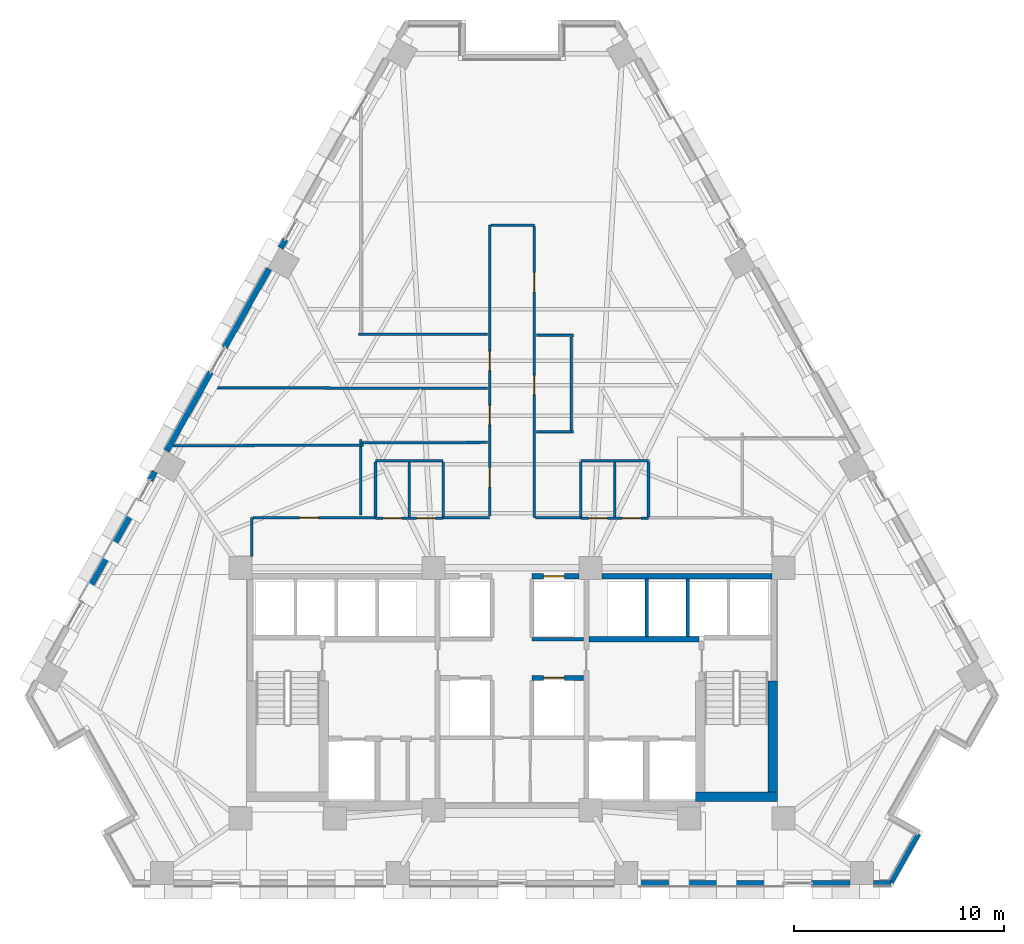
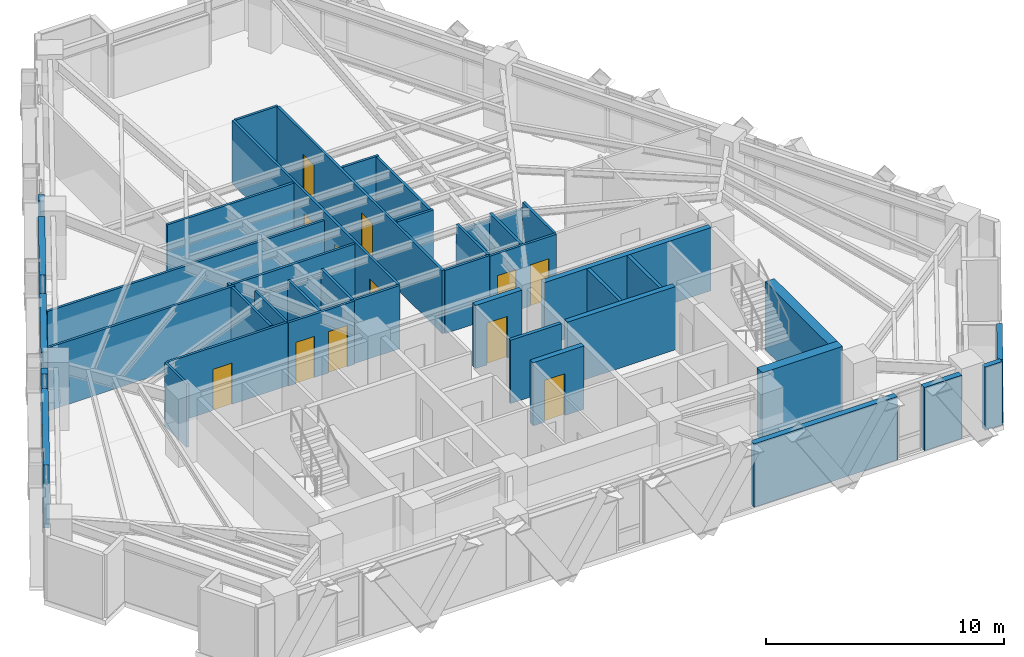
# One storey, part 8 of 13: 44 walls, 12 doors, 12 openings.
"""IFC4 building model written with IfcOpenShell, lengths in metres."""

from ifc_helpers import new_model, si_unit, direction, frame, frame_2d, origin, place, context, subcontext, project, spatial, rectangle, extrude, material, layer, layer_set, type_object, element, fill, save


model = new_model("IFC4")

# Units and contexts
model_context = context("Model", 3, precision=1e-05, world=origin(), true_north=direction((0.0, 1.0)))
body_context = subcontext(model_context, "Body", "Model", "MODEL_VIEW")
ifc_project = project(units=[si_unit("LENGTHUNIT", "METRE"), si_unit("AREAUNIT", "SQUARE_METRE"), si_unit("VOLUMEUNIT", "CUBIC_METRE"), si_unit("PLANEANGLEUNIT", "RADIAN"), si_unit("MASSUNIT", "GRAM", prefix="KILO")], contexts=[model_context])

# Site, building, storey
site_placement = place(None, origin())
site = spatial("IfcSite", under=ifc_project, at=site_placement, CompositionType="ELEMENT")
building_placement = place(site_placement, origin())
building = spatial("IfcBuilding", under=site, at=building_placement, Name="Quenlor Broadcast Tower", CompositionType="ELEMENT")
storey_placement = place(building_placement, frame((0.0, 0.0, 98.5)))
storey = spatial("IfcBuildingStorey", under=building, at=storey_placement, Name="L26", CompositionType="ELEMENT", Elevation=98.5)

# Walls
ifc_material_1 = material(Name="Concrete C50/60", Category="concrete")
ifc_layer_1 = layer(ifc_material_1, 0.449951171875)
ifc_layer_set_1 = layer_set([ifc_layer_1], Name="Core Concrete C50/60 Shear Wall 450")
wall_type_1 = type_object("IfcWallType", Name="Core Concrete C50/60 Shear Wall 450", PredefinedType="SHEAR", material=ifc_layer_set_1)
wall_1_placement = place(storey_placement, frame((8.75, -15.72509765625, 0.0), z_axis=(0.0, 0.0, 1.0), x_axis=(1.0, 0.0, 0.0)))
element("IfcWall", 1, at=wall_1_placement, inside=storey, type_object=wall_type_1, Name="L26 Core Shear Wall WS-E2", PredefinedType="SHEAR", context=body_context, shape_type="SweptSolid", body=[
    extrude(rectangle(XDim=3.89990234375, YDim=0.449951171875, at=frame_2d((1.949951171875, 0.0))), origin(), (0.0, 0.0, 1.0), 3.5),
])
wall_2_placement = place(storey_placement, frame((12.425048828125, -15.72509765625, 0.0), z_axis=(0.0, 0.0, 1.0), x_axis=(0.0, 1.0, 0.0)))
element("IfcWall", 2, at=wall_2_placement, inside=storey, type_object=wall_type_1, Name="L26 Core Shear Wall WF-E", PredefinedType="SHEAR", context=body_context, shape_type="SweptSolid", body=[
    extrude(rectangle(XDim=5.525146484375, YDim=0.449951171875, at=frame_2d((2.7626953125, 0.0))), origin(), (0.0, 0.0, 1.0), 3.5),
])
ifc_material_2 = material(Name="Concrete C40/50", Category="concrete")
ifc_layer_2 = layer(ifc_material_2, 0.25)
ifc_layer_set_2 = layer_set([ifc_layer_2], Name="Fire Rated Concrete C40/50 Core Wall 250")
wall_type_2 = type_object("IfcWallType", Name="Fire Rated Concrete C40/50 Core Wall 250", PredefinedType="PARTITIONING", material=ifc_layer_set_2)
wall_3_placement = place(storey_placement, frame((3.679931640625, -8.199951171875, 0.0), z_axis=(0.0, 0.0, 1.0), x_axis=(1.0, 0.0, 0.0)))
element("IfcWall", 3, at=wall_3_placement, inside=storey, type_object=wall_type_2, Name="L26 Interior Wall CW-FFE-N", PredefinedType="PARTITIONING", context=body_context, shape_type="SweptSolid", body=[
    extrude(rectangle(XDim=5.239990234375, YDim=0.25, at=frame_2d((2.6201171875, 0.0))), origin(), (0.0, 0.0, 1.0), 3.25),
])
wall_4_placement = place(storey_placement, frame((4.302001953125, -5.199951171875, 0.0), z_axis=(0.0, 0.0, 1.0), x_axis=(1.0, 0.0, 0.0)))
element("IfcWall", 4, at=wall_4_placement, inside=storey, type_object=wall_type_2, Name="L26 Interior Wall CW-N-E", PredefinedType="PARTITIONING", context=body_context, shape_type="SweptSolid", body=[
    extrude(rectangle(XDim=8.095947265625, YDim=0.25, at=frame_2d((4.0478515625, 0.0))), origin(), (0.0, 0.0, 1.0), 3.25),
])

# Wall, opening, door
wall_5_placement = place(storey_placement, frame((0.949951171875, -5.199951171875, 0.0), z_axis=(0.0, 0.0, 1.0), x_axis=(1.0, 0.0, 0.0)))
wall_5 = element("IfcWall", 5, at=wall_5_placement, inside=storey, type_object=wall_type_2, Name="L26 Interior Wall CW-N-M2", PredefinedType="PARTITIONING", context=body_context, shape_type="SweptSolid", body=[
    extrude(rectangle(XDim=2.248046875, YDim=0.25, at=frame_2d((1.1240234375, 0.0))), origin(), (0.0, 0.0, 1.0), 3.25),
])
opening_1_placement = place(wall_5_placement, frame((0.550048828125, 0.0, 0.0)))
opening_1 = element("IfcOpeningElement", 6, at=opening_1_placement, cuts=wall_5, Name="Opening LD-PL-M2", PredefinedType="OPENING", context=body_context, shape_type="SweptSolid", body=[
    extrude(rectangle(XDim=1.0, YDim=2.14990234375, at=frame_2d((0.5, 1.074951171875))), frame((0.0, 0.135009765625, 0.0), z_axis=(0.0, -1.0, 0.0), x_axis=(1.0, 0.0, 0.0)), (0.0, 0.0, 1.0), 0.27001953125),
])
ifc_material_3 = material(Name="Brushed Stainless Steel", Category="steel")
door_type_1 = type_object("IfcDoorType", Name="Passenger Lift Sliding Landing Door 1000x2150", OperationType="NOTDEFINED", PredefinedType="DOOR", material=ifc_material_3)
door_1_placement = place(opening_1_placement, origin())
door_1 = element("IfcDoor", 7, at=door_1_placement, inside=storey, type_object=door_type_1, Name="L26 Door LD-PL-M2", OperationType="SLIDING_TO_RIGHT", OverallHeight=2.14990234375, OverallWidth=1.0, PredefinedType="DOOR", context=body_context, shape_type="SweptSolid", body=[
    extrude(rectangle(XDim=1.0, YDim=2.14990234375, at=frame_2d((0.5, 1.074951171875))), frame((0.0, 0.02490234375, 0.0), z_axis=(0.0, -1.0, 0.0), x_axis=(1.0, 0.0, 0.0)), (0.0, 0.0, 1.0), 0.050048828125),
])
fill(opening_1, door_1)

wall_6_placement = place(storey_placement, frame((0.949951171875, -10.050048828125, 0.0), z_axis=(0.0, 0.0, 1.0), x_axis=(1.0, 0.0, 0.0)))
wall_6 = element("IfcWall", 8, at=wall_6_placement, inside=storey, type_object=wall_type_2, Name="L26 Interior Wall CW-MS-N2", PredefinedType="PARTITIONING", context=body_context, shape_type="SweptSolid", body=[
    extrude(rectangle(XDim=2.469970703125, YDim=0.25, at=frame_2d((1.23486328125, 0.0))), origin(), (0.0, 0.0, 1.0), 3.25),
])
opening_2_placement = place(wall_6_placement, frame((0.550048828125, 0.0, 0.0)))
opening_2 = element("IfcOpeningElement", 9, at=opening_2_placement, cuts=wall_6, Name="Opening LD-PL-M4", PredefinedType="OPENING", context=body_context, shape_type="SweptSolid", body=[
    extrude(rectangle(XDim=1.0, YDim=2.14990234375, at=frame_2d((0.5, 1.074951171875))), frame((0.0, 0.135009765625, 0.0), z_axis=(0.0, -1.0, 0.0), x_axis=(1.0, 0.0, 0.0)), (0.0, 0.0, 1.0), 0.27001953125),
])
door_2_placement = place(opening_2_placement, origin())
door_2 = element("IfcDoor", 10, at=door_2_placement, inside=storey, type_object=door_type_1, Name="L26 Door LD-PL-M4", OperationType="SLIDING_TO_RIGHT", OverallHeight=2.14990234375, OverallWidth=1.0, PredefinedType="DOOR", context=body_context, shape_type="SweptSolid", body=[
    extrude(rectangle(XDim=1.0, YDim=2.14990234375, at=frame_2d((0.5, 1.074951171875))), frame((0.0, 0.02490234375, 0.0), z_axis=(0.0, -1.0, 0.0), x_axis=(1.0, 0.0, 0.0)), (0.0, 0.0, 1.0), 0.050048828125),
])
fill(opening_2, door_2)

# Walls
ifc_material_4 = material(Name="Gypsum Fireboard Partition", Category="other")
ifc_layer_3 = layer(ifc_material_4, 0.159912109375)
ifc_layer_set_3 = layer_set([ifc_layer_3], Name="Fire Rated Shaft and Corridor Partition 160")
wall_type_3 = type_object("IfcWallType", Name="Fire Rated Shaft and Corridor Partition 160", PredefinedType="PARTITIONING", material=ifc_layer_set_3)
for number, where, z_axis, x_axis, name in (
    (11, (6.425048828125, -8.072998046875, 0.0), (0.0, 0.0, 1.0), (0.0, 1.0, 0.0), "L26 Interior Wall CW-PLH-D1"),
    (12, (8.375, -8.072998046875, 0.0), (0.0, 0.0, 1.0), (0.0, 1.0, 0.0), "L26 Interior Wall CW-PLH-D2"),
):
    element("IfcWall", number, at=place(storey_placement, frame(where, z_axis=z_axis, x_axis=x_axis)), inside=storey, type_object=wall_type_3, Name=name, PredefinedType="PARTITIONING", context=body_context, shape_type="SweptSolid", body=[
        extrude(rectangle(XDim=2.73291015625, YDim=0.159912109375, at=frame_2d((1.366455078125, 0.0))), origin(), (0.0, 0.0, 1.0), 3.25),
    ])
wall_7_placement = place(storey_placement, frame((0.949951171875, -8.199951171875, 0.0), z_axis=(0.0, 0.0, 1.0), x_axis=(1.0, 0.0, 0.0)))
element("IfcWall", 13, at=wall_7_placement, inside=storey, type_object=wall_type_3, Name="L26 Interior Wall CW-M-BACK2", PredefinedType="PARTITIONING", context=body_context, shape_type="SweptSolid", body=[
    extrude(rectangle(XDim=2.469970703125, YDim=0.159912109375, at=frame_2d((1.23486328125, 0.0))), origin(), (0.0, 0.0, 1.0), 3.25),
])

# Wall, openings, doors
ifc_material_5 = material(Name="Gypsum Plasterboard Partition", Category="other")
ifc_layer_4 = layer(ifc_material_5, 0.1201171875)
ifc_layer_set_4 = layer_set([ifc_layer_4], Name="Standard Office Partition 120")
wall_type_4 = type_object("IfcWallType", Name="Standard Office Partition 120", PredefinedType="PARTITIONING", material=ifc_layer_set_4)
wall_8_placement = place(storey_placement, frame((-6.510009765625, -2.43994140625, 0.0), z_axis=(0.0, 0.0, 1.0), x_axis=(1.0, 0.0, 0.0)))
wall_8 = element("IfcWall", 14, at=wall_8_placement, inside=storey, type_object=wall_type_4, Name="L26 Interior Wall PW-WCW-S", PredefinedType="PARTITIONING", context=body_context, shape_type="SweptSolid", body=[
    extrude(rectangle(XDim=3.219970703125, YDim=0.1201171875, at=frame_2d((1.60986328125, 0.0))), origin(), (0.0, 0.0, 1.0), 3.25),
])
opening_3_placement = place(wall_8_placement, frame((0.360107421875, 0.0, 0.0)))
opening_3 = element("IfcOpeningElement", 15, at=opening_3_placement, cuts=wall_8, Name="Opening ID-3", PredefinedType="OPENING", context=body_context, shape_type="SweptSolid", body=[
    extrude(rectangle(XDim=0.89990234375, YDim=2.1201171875, at=frame_2d((0.449951171875, 1.06005859375))), frame((0.0, 0.070068359375, 0.0), z_axis=(0.0, -1.0, 0.0), x_axis=(1.0, 0.0, 0.0)), (0.0, 0.0, 1.0), 0.14013671875),
])
opening_4_placement = place(wall_8_placement, frame((1.9599609375, 0.0, 0.0)))
opening_4 = element("IfcOpeningElement", 16, at=opening_4_placement, cuts=wall_8, Name="Opening ID-3", PredefinedType="OPENING", context=body_context, shape_type="SweptSolid", body=[
    extrude(rectangle(XDim=0.89990234375, YDim=2.1201171875, at=frame_2d((0.449951171875, 1.06005859375))), frame((0.0, 0.070068359375, 0.0), z_axis=(0.0, -1.0, 0.0), x_axis=(1.0, 0.0, 0.0)), (0.0, 0.0, 1.0), 0.14013671875),
])
ifc_material_6 = material(Name="Moisture Resistant Timber Oak", Category="wood")
door_type_2 = type_object("IfcDoorType", Name="Washroom Privacy Door 900x2120", OperationType="NOTDEFINED", PredefinedType="DOOR", material=ifc_material_6)
door_3_placement = place(opening_3_placement, origin())
door_3 = element("IfcDoor", 17, at=door_3_placement, inside=storey, type_object=door_type_2, Name="L26 Door DR-AWC", OperationType="SINGLE_SWING_LEFT", OverallHeight=2.1201171875, OverallWidth=0.89990234375, PredefinedType="DOOR", context=body_context, shape_type="SweptSolid", body=[
    extrude(rectangle(XDim=0.89990234375, YDim=2.1201171875, at=frame_2d((0.449951171875, 1.06005859375))), frame((0.0, 0.02490234375, 0.0), z_axis=(0.0, -1.0, 0.0), x_axis=(1.0, 0.0, 0.0)), (0.0, 0.0, 1.0), 0.050048828125),
])
fill(opening_3, door_3)
door_4_placement = place(opening_4_placement, origin())
door_4 = element("IfcDoor", 18, at=door_4_placement, inside=storey, type_object=door_type_2, Name="L26 Door DR-SHW", OperationType="SINGLE_SWING_RIGHT", OverallHeight=2.1201171875, OverallWidth=0.89990234375, PredefinedType="DOOR", context=body_context, shape_type="SweptSolid", body=[
    extrude(rectangle(XDim=0.89990234375, YDim=2.1201171875, at=frame_2d((0.449951171875, 1.06005859375))), frame((0.0, 0.02490234375, 0.0), z_axis=(0.0, -1.0, 0.0), x_axis=(1.0, 0.0, 0.0)), (0.0, 0.0, 1.0), 0.050048828125),
])
fill(opening_4, door_4)

# Walls
wall_9_placement = place(storey_placement, frame((-6.510009765625, 0.31005859375, 0.0), z_axis=(0.0, 0.0, 1.0), x_axis=(1.0, 0.0, 0.0)))
element("IfcWall", 19, at=wall_9_placement, inside=storey, type_object=wall_type_4, Name="L26 Interior Wall PW-WCW-N", PredefinedType="PARTITIONING", context=body_context, shape_type="SweptSolid", body=[
    extrude(rectangle(XDim=3.219970703125, YDim=0.1201171875, at=frame_2d((1.60986328125, 0.0))), origin(), (0.0, 0.0, 1.0), 2.891357421875),
])
for number, where, z_axis, x_axis, name in (
    (20, (-6.510009765625, -2.3779296875, 0.0), (0.0, 0.0, 1.0), (0.0, 1.0, 0.0), "L26 Interior Wall PW-WCW-W"),
    (21, (-4.89990234375, -2.3779296875, 0.0), (0.0, 0.0, 1.0), (0.0, 1.0, 0.0), "L26 Interior Wall PW-WCW-M"),
    (22, (-3.2900390625, -2.3779296875, 0.0), (0.0, 0.0, 1.0), (0.0, 1.0, 0.0), "L26 Interior Wall PW-WCW-E"),
):
    element("IfcWall", number, at=place(storey_placement, frame(where, z_axis=z_axis, x_axis=x_axis)), inside=storey, type_object=wall_type_4, Name=name, PredefinedType="PARTITIONING", context=body_context, shape_type="SweptSolid", body=[
        extrude(rectangle(XDim=2.6259765625, YDim=0.1201171875, at=frame_2d((1.31298828125, 0.0))), origin(), (0.0, 0.0, 1.0), 3.25),
    ])

# Wall, openings, doors
wall_10_placement = place(storey_placement, frame((3.2900390625, -2.43994140625, 0.0), z_axis=(0.0, 0.0, 1.0), x_axis=(1.0, 0.0, 0.0)))
wall_10 = element("IfcWall", 23, at=wall_10_placement, inside=storey, type_object=wall_type_4, Name="L26 Interior Wall PW-WCE-S", PredefinedType="PARTITIONING", context=body_context, shape_type="SweptSolid", body=[
    extrude(rectangle(XDim=3.219970703125, YDim=0.1201171875, at=frame_2d((1.60986328125, 0.0))), origin(), (0.0, 0.0, 1.0), 3.25),
])
opening_5_placement = place(wall_10_placement, frame((0.360107421875, 0.0, 0.0)))
opening_5 = element("IfcOpeningElement", 24, at=opening_5_placement, cuts=wall_10, Name="Opening ID-3", PredefinedType="OPENING", context=body_context, shape_type="SweptSolid", body=[
    extrude(rectangle(XDim=0.89990234375, YDim=2.1201171875, at=frame_2d((0.449951171875, 1.06005859375))), frame((0.0, 0.070068359375, 0.0), z_axis=(0.0, -1.0, 0.0), x_axis=(1.0, 0.0, 0.0)), (0.0, 0.0, 1.0), 0.14013671875),
])
opening_6_placement = place(wall_10_placement, frame((1.9599609375, 0.0, 0.0)))
opening_6 = element("IfcOpeningElement", 25, at=opening_6_placement, cuts=wall_10, Name="Opening ID-3", PredefinedType="OPENING", context=body_context, shape_type="SweptSolid", body=[
    extrude(rectangle(XDim=0.89990234375, YDim=2.1201171875, at=frame_2d((0.449951171875, 1.06005859375))), frame((0.0, 0.070068359375, 0.0), z_axis=(0.0, -1.0, 0.0), x_axis=(1.0, 0.0, 0.0)), (0.0, 0.0, 1.0), 0.14013671875),
])
door_5_placement = place(opening_5_placement, origin())
door_5 = element("IfcDoor", 26, at=door_5_placement, inside=storey, type_object=door_type_2, Name="L26 Door DR-MWC", OperationType="SINGLE_SWING_LEFT", OverallHeight=2.1201171875, OverallWidth=0.89990234375, PredefinedType="DOOR", context=body_context, shape_type="SweptSolid", body=[
    extrude(rectangle(XDim=0.89990234375, YDim=2.1201171875, at=frame_2d((0.449951171875, 1.06005859375))), frame((0.0, 0.02490234375, 0.0), z_axis=(0.0, -1.0, 0.0), x_axis=(1.0, 0.0, 0.0)), (0.0, 0.0, 1.0), 0.050048828125),
])
fill(opening_5, door_5)
door_6_placement = place(opening_6_placement, origin())
door_6 = element("IfcDoor", 27, at=door_6_placement, inside=storey, type_object=door_type_2, Name="L26 Door DR-FWC", OperationType="SINGLE_SWING_RIGHT", OverallHeight=2.1201171875, OverallWidth=0.89990234375, PredefinedType="DOOR", context=body_context, shape_type="SweptSolid", body=[
    extrude(rectangle(XDim=0.89990234375, YDim=2.1201171875, at=frame_2d((0.449951171875, 1.06005859375))), frame((0.0, 0.02490234375, 0.0), z_axis=(0.0, -1.0, 0.0), x_axis=(1.0, 0.0, 0.0)), (0.0, 0.0, 1.0), 0.050048828125),
])
fill(opening_6, door_6)

# Walls
wall_11_placement = place(storey_placement, frame((3.2900390625, 0.31005859375, 0.0), z_axis=(0.0, 0.0, 1.0), x_axis=(1.0, 0.0, 0.0)))
element("IfcWall", 28, at=wall_11_placement, inside=storey, type_object=wall_type_4, Name="L26 Interior Wall PW-WCE-N", PredefinedType="PARTITIONING", context=body_context, shape_type="SweptSolid", body=[
    extrude(rectangle(XDim=3.219970703125, YDim=0.1201171875, at=frame_2d((1.60986328125, 0.0))), origin(), (0.0, 0.0, 1.0), 2.891357421875),
])
for number, where, z_axis, x_axis, name in (
    (29, (3.2900390625, -2.3779296875, 0.0), (0.0, 0.0, 1.0), (0.0, 1.0, 0.0), "L26 Interior Wall PW-WCE-W"),
    (30, (4.89990234375, -2.3779296875, 0.0), (0.0, 0.0, 1.0), (0.0, 1.0, 0.0), "L26 Interior Wall PW-WCE-M"),
    (31, (6.510009765625, -2.3779296875, 0.0), (0.0, 0.0, 1.0), (0.0, 1.0, 0.0), "L26 Interior Wall PW-WCE-E"),
):
    element("IfcWall", number, at=place(storey_placement, frame(where, z_axis=z_axis, x_axis=x_axis)), inside=storey, type_object=wall_type_4, Name=name, PredefinedType="PARTITIONING", context=body_context, shape_type="SweptSolid", body=[
        extrude(rectangle(XDim=2.6259765625, YDim=0.1201171875, at=frame_2d((1.31298828125, 0.0))), origin(), (0.0, 0.0, 1.0), 3.25),
    ])
wall_12_placement = place(storey_placement, frame((-12.409912109375, -4.248046875, 0.0), z_axis=(0.0, 0.0, 1.0), x_axis=(0.0, 1.0, 0.0)))
element("IfcWall", 32, at=wall_12_placement, inside=storey, type_object=wall_type_4, Name="L26 Interior Wall PW-CR-01", PredefinedType="PARTITIONING", context=body_context, shape_type="SweptSolid", body=[
    extrude(rectangle(XDim=1.84814453125, YDim=0.1201171875, at=frame_2d((0.924072265625, 0.0))), origin(), (0.0, 0.0, 1.0), 3.25),
])

# Wall, opening, door
wall_13_placement = place(storey_placement, frame((-12.347900390625, -2.39990234375, 0.0), z_axis=(0.0, 0.0, 1.0), x_axis=(1.0, 0.0, 0.0)))
wall_13 = element("IfcWall", 33, at=wall_13_placement, inside=storey, type_object=wall_type_4, Name="L26 Interior Wall PW-CR-02", PredefinedType="PARTITIONING", context=body_context, shape_type="SweptSolid", body=[
    extrude(rectangle(XDim=5.8359375, YDim=0.1201171875, at=frame_2d((2.91796875, 0.0))), origin(), (0.0, 0.0, 1.0), 3.25),
])
opening_7_placement = place(wall_13_placement, frame((2.201904296875, 0.0, 0.0)))
opening_7 = element("IfcOpeningElement", 34, at=opening_7_placement, cuts=wall_13, Name="Opening ID-1", PredefinedType="OPENING", context=body_context, shape_type="SweptSolid", body=[
    extrude(rectangle(XDim=0.919921875, YDim=2.1201171875, at=frame_2d((0.4599609375, 1.06005859375))), frame((0.0, 0.070068359375, 0.0), z_axis=(0.0, -1.0, 0.0), x_axis=(1.0, 0.0, 0.0)), (0.0, 0.0, 1.0), 0.14013671875),
])
ifc_material_7 = material(Name="Solid Core Timber Oak", Category="wood")
door_type_3 = type_object("IfcDoorType", Name="Single Leaf Timber Office Door 920x2120", OperationType="NOTDEFINED", PredefinedType="DOOR", material=ifc_material_7)
door_7_placement = place(opening_7_placement, origin())
door_7 = element("IfcDoor", 35, at=door_7_placement, inside=storey, type_object=door_type_3, Name="L26 Door DR-RM08", OperationType="SINGLE_SWING_RIGHT", OverallHeight=2.1201171875, OverallWidth=0.919921875, PredefinedType="DOOR", context=body_context, shape_type="SweptSolid", body=[
    extrude(rectangle(XDim=0.919921875, YDim=2.1201171875, at=frame_2d((0.4599609375, 1.06005859375))), frame((0.0, 0.02490234375, 0.0), z_axis=(0.0, -1.0, 0.0), x_axis=(1.0, 0.0, 0.0)), (0.0, 0.0, 1.0), 0.050048828125),
])
fill(opening_7, door_7)

# Wall
wall_14_placement = place(storey_placement, frame((-3.2880859375, -2.39990234375, 0.0), z_axis=(0.0, 0.0, 1.0), x_axis=(1.0, 0.0, 0.0)))
element("IfcWall", 36, at=wall_14_placement, inside=storey, type_object=wall_type_4, Name="L26 Interior Wall PW-CR-02S2", PredefinedType="PARTITIONING", context=body_context, shape_type="SweptSolid", body=[
    extrude(rectangle(XDim=2.218017578125, YDim=0.1201171875, at=frame_2d((1.10888671875, 0.0))), origin(), (0.0, 0.0, 1.0), 3.25),
])

# Wall, openings, doors
wall_15_placement = place(storey_placement, frame((-1.070068359375, -2.337890625, 0.0), z_axis=(0.0, 0.0, 1.0), x_axis=(0.0, 1.0, 0.0)))
wall_15 = element("IfcWall", 37, at=wall_15_placement, inside=storey, type_object=wall_type_4, Name="L26 Interior Wall PW-CR-03", PredefinedType="PARTITIONING", context=body_context, shape_type="SweptSolid", body=[
    extrude(rectangle(XDim=13.887939453125, YDim=0.1201171875, at=frame_2d((6.94384765625, 0.0))), origin(), (0.0, 0.0, 1.0), 3.25),
])
opening_8_placement = place(wall_15_placement, frame((6.94091796875, 0.0, 0.0)))
opening_8 = element("IfcOpeningElement", 38, at=opening_8_placement, cuts=wall_15, Name="Opening ID-1", PredefinedType="OPENING", context=body_context, shape_type="SweptSolid", body=[
    extrude(rectangle(XDim=0.919921875, YDim=2.1201171875, at=frame_2d((0.4599609375, 1.06005859375))), frame((0.0, 0.070068359375, 0.0), z_axis=(0.0, -1.0, 0.0), x_axis=(1.0, 0.0, 0.0)), (0.0, 0.0, 1.0), 0.14013671875),
])
opening_9_placement = place(wall_15_placement, frame((4.365966796875, 0.0, 0.0)))
opening_9 = element("IfcOpeningElement", 39, at=opening_9_placement, cuts=wall_15, Name="Opening ID-1", PredefinedType="OPENING", context=body_context, shape_type="SweptSolid", body=[
    extrude(rectangle(XDim=0.919921875, YDim=2.1201171875, at=frame_2d((0.4599609375, 1.06005859375))), frame((0.0, 0.070068359375, 0.0), z_axis=(0.0, -1.0, 0.0), x_axis=(1.0, 0.0, 0.0)), (0.0, 0.0, 1.0), 0.14013671875),
])
opening_10_placement = place(wall_15_placement, frame((1.39697265625, 0.0, 0.0)))
opening_10 = element("IfcOpeningElement", 40, at=opening_10_placement, cuts=wall_15, Name="Opening ID-1", PredefinedType="OPENING", context=body_context, shape_type="SweptSolid", body=[
    extrude(rectangle(XDim=0.919921875, YDim=2.1201171875, at=frame_2d((0.4599609375, 1.06005859375))), frame((0.0, 0.070068359375, 0.0), z_axis=(0.0, -1.0, 0.0), x_axis=(1.0, 0.0, 0.0)), (0.0, 0.0, 1.0), 0.14013671875),
])
door_8_placement = place(opening_8_placement, origin())
door_8 = element("IfcDoor", 41, at=door_8_placement, inside=storey, type_object=door_type_3, Name="L26 Door DR-RM02", OperationType="SINGLE_SWING_RIGHT", OverallHeight=2.1201171875, OverallWidth=0.919921875, PredefinedType="DOOR", context=body_context, shape_type="SweptSolid", body=[
    extrude(rectangle(XDim=0.919921875, YDim=2.1201171875, at=frame_2d((0.4599609375, 1.06005859375))), frame((0.0, 0.02490234375, 0.0), z_axis=(0.0, -1.0, 0.0), x_axis=(1.0, 0.0, 0.0)), (0.0, 0.0, 1.0), 0.050048828125),
])
fill(opening_8, door_8)
door_9_placement = place(opening_9_placement, origin())
door_9 = element("IfcDoor", 42, at=door_9_placement, inside=storey, type_object=door_type_3, Name="L26 Door DR-RM04", OperationType="SINGLE_SWING_RIGHT", OverallHeight=2.1201171875, OverallWidth=0.919921875, PredefinedType="DOOR", context=body_context, shape_type="SweptSolid", body=[
    extrude(rectangle(XDim=0.919921875, YDim=2.1201171875, at=frame_2d((0.4599609375, 1.06005859375))), frame((0.0, 0.02490234375, 0.0), z_axis=(0.0, -1.0, 0.0), x_axis=(1.0, 0.0, 0.0)), (0.0, 0.0, 1.0), 0.050048828125),
])
fill(opening_9, door_9)
door_10_placement = place(opening_10_placement, origin())
door_10 = element("IfcDoor", 43, at=door_10_placement, inside=storey, type_object=door_type_3, Name="L26 Door DR-RM05", OperationType="SINGLE_SWING_LEFT", OverallHeight=2.1201171875, OverallWidth=0.919921875, PredefinedType="DOOR", context=body_context, shape_type="SweptSolid", body=[
    extrude(rectangle(XDim=0.919921875, YDim=2.1201171875, at=frame_2d((0.4599609375, 1.06005859375))), frame((0.0, 0.02490234375, 0.0), z_axis=(0.0, -1.0, 0.0), x_axis=(1.0, 0.0, 0.0)), (0.0, 0.0, 1.0), 0.050048828125),
])
fill(opening_10, door_10)

# Wall
wall_16_placement = place(storey_placement, frame((-1.008056640625, 11.550048828125, 0.0), z_axis=(0.0, 0.0, 1.0), x_axis=(1.0, 0.0, 0.0)))
element("IfcWall", 44, at=wall_16_placement, inside=storey, type_object=wall_type_4, Name="L26 Interior Wall PW-CR-04", PredefinedType="PARTITIONING", context=body_context, shape_type="SweptSolid", body=[
    extrude(rectangle(XDim=2.078125, YDim=0.1201171875, at=frame_2d((1.0390625, 0.0))), origin(), (0.0, 0.0, 1.0), 3.25),
])

# Wall, openings, doors
wall_17_placement = place(storey_placement, frame((1.070068359375, 11.488037109375, 0.0), z_axis=(0.0, 0.0, 1.0), x_axis=(0.0, -1.0, 0.0)))
wall_17 = element("IfcWall", 45, at=wall_17_placement, inside=storey, type_object=wall_type_4, Name="L26 Interior Wall PW-CR-05", PredefinedType="PARTITIONING", context=body_context, shape_type="SweptSolid", body=[
    extrude(rectangle(XDim=13.887939453125, YDim=0.1201171875, at=frame_2d((6.94384765625, 0.0))), origin(), (0.0, 0.0, 1.0), 3.25),
])
opening_11_placement = place(wall_17_placement, frame((2.2119140625, 0.0, 0.0)))
opening_11 = element("IfcOpeningElement", 46, at=opening_11_placement, cuts=wall_17, Name="Opening ID-1", PredefinedType="OPENING", context=body_context, shape_type="SweptSolid", body=[
    extrude(rectangle(XDim=0.919921875, YDim=2.1201171875, at=frame_2d((0.4599609375, 1.06005859375))), frame((0.0, 0.070068359375, 0.0), z_axis=(0.0, -1.0, 0.0), x_axis=(1.0, 0.0, 0.0)), (0.0, 0.0, 1.0), 0.14013671875),
])
opening_12_placement = place(wall_17_placement, frame((7.10791015625, 0.0, 0.0)))
opening_12 = element("IfcOpeningElement", 47, at=opening_12_placement, cuts=wall_17, Name="Opening ID-1", PredefinedType="OPENING", context=body_context, shape_type="SweptSolid", body=[
    extrude(rectangle(XDim=0.919921875, YDim=2.1201171875, at=frame_2d((0.4599609375, 1.06005859375))), frame((0.0, 0.070068359375, 0.0), z_axis=(0.0, -1.0, 0.0), x_axis=(1.0, 0.0, 0.0)), (0.0, 0.0, 1.0), 0.14013671875),
])
door_11_placement = place(opening_11_placement, origin())
door_11 = element("IfcDoor", 48, at=door_11_placement, inside=storey, type_object=door_type_3, Name="L26 Door DR-RM01", OperationType="SINGLE_SWING_LEFT", OverallHeight=2.1201171875, OverallWidth=0.919921875, PredefinedType="DOOR", context=body_context, shape_type="SweptSolid", body=[
    extrude(rectangle(XDim=0.919921875, YDim=2.1201171875, at=frame_2d((0.4599609375, 1.06005859375))), frame((0.0, 0.02490234375, 0.0), z_axis=(0.0, -1.0, 0.0), x_axis=(1.0, 0.0, 0.0)), (0.0, 0.0, 1.0), 0.050048828125),
])
fill(opening_11, door_11)
door_12_placement = place(opening_12_placement, origin())
door_12 = element("IfcDoor", 49, at=door_12_placement, inside=storey, type_object=door_type_3, Name="L26 Door DR-RM03", OperationType="SINGLE_SWING_LEFT", OverallHeight=2.1201171875, OverallWidth=0.919921875, PredefinedType="DOOR", context=body_context, shape_type="SweptSolid", body=[
    extrude(rectangle(XDim=0.919921875, YDim=2.1201171875, at=frame_2d((0.4599609375, 1.06005859375))), frame((0.0, 0.02490234375, 0.0), z_axis=(0.0, -1.0, 0.0), x_axis=(1.0, 0.0, 0.0)), (0.0, 0.0, 1.0), 0.050048828125),
])
fill(opening_12, door_12)

# Walls
wall_18_placement = place(storey_placement, frame((1.132080078125, -2.39990234375, 0.0), z_axis=(0.0, 0.0, 1.0), x_axis=(1.0, 0.0, 0.0)))
element("IfcWall", 50, at=wall_18_placement, inside=storey, type_object=wall_type_4, Name="L26 Interior Wall PW-CR-06", PredefinedType="PARTITIONING", context=body_context, shape_type="SweptSolid", body=[
    extrude(rectangle(XDim=2.156005859375, YDim=0.1201171875, at=frame_2d((1.078125, 0.0))), origin(), (0.0, 0.0, 1.0), 3.25),
])
wall_19_placement = place(storey_placement, frame((-1.179931640625, 6.330078125, 0.0), z_axis=(0.0, 0.0, 1.0), x_axis=(-1.0, 0.0, 0.0)))
element("IfcWall", 51, at=wall_19_placement, inside=storey, type_object=wall_type_4, Name="L26 Interior Wall PW-DV-01", PredefinedType="PARTITIONING", context=body_context, shape_type="SweptSolid", body=[
    extrude(rectangle(XDim=6.14013671875, YDim=0.1201171875, at=frame_2d((3.070068359375, 0.0))), origin(), (0.0, 0.0, 1.0), 3.25),
])
wall_20_placement = place(storey_placement, frame((2.930908203125, 6.281494140625, 0.0), z_axis=(0.0, 0.0, 1.0), x_axis=(-0.999953723823, 0.009620302139, 0.0)))
element("IfcWall", 52, at=wall_20_placement, inside=storey, type_object=wall_type_4, Name="L26 Interior Wall PW-DV-03", PredefinedType="PARTITIONING", context=body_context, shape_type="SweptSolid", body=[
    extrude(rectangle(XDim=1.7509765625, YDim=0.1201171875, at=frame_2d((0.87548828125, 0.0))), origin(), (0.0, 0.0, 1.0), 3.25),
])
wall_21_placement = place(storey_placement, frame((1.179931640625, 1.68994140625, 0.0), z_axis=(0.0, 0.0, 1.0), x_axis=(1.0, 0.0, 0.0)))
element("IfcWall", 53, at=wall_21_placement, inside=storey, type_object=wall_type_4, Name="L26 Interior Wall PW-DV-04", PredefinedType="PARTITIONING", context=body_context, shape_type="SweptSolid", body=[
    extrude(rectangle(XDim=1.75, YDim=0.1201171875, at=frame_2d((0.875, 0.0))), origin(), (0.0, 0.0, 1.0), 3.25),
])
wall_22_placement = place(storey_placement, frame((2.830078125, 1.751953125, 0.0), z_axis=(0.0, 0.0, 1.0), x_axis=(0.000218531463, 0.999999976122, 0.0)))
element("IfcWall", 54, at=wall_22_placement, inside=storey, type_object=wall_type_4, Name="L26 Interior Wall PW-DV-05", PredefinedType="PARTITIONING", context=body_context, shape_type="SweptSolid", body=[
    extrude(rectangle(XDim=4.46875, YDim=0.1201171875, at=frame_2d((2.234375, 0.0))), origin(), (0.0, 0.0, 1.0), 3.25),
])
wall_23_placement = place(storey_placement, frame((-1.179931640625, 3.75537109375, 0.0), z_axis=(0.0, 0.0, 1.0), x_axis=(-0.999995669424, 0.002942980388, 0.0)))
element("IfcWall", 55, at=wall_23_placement, inside=storey, type_object=wall_type_4, Name="L26 Interior Wall PW-DV-08", PredefinedType="PARTITIONING", context=body_context, shape_type="SweptSolid", body=[
    extrude(rectangle(XDim=13.43896484375, YDim=0.1201171875, at=frame_2d((6.719482421875, 0.0))), origin(), (0.0, 0.0, 1.0), 2.891357421875),
])
wall_24_placement = place(storey_placement, frame((-1.179931640625, 1.1796875, 0.0), z_axis=(0.0, 0.0, 1.0), x_axis=(-0.99999914304, -0.001309167147, 0.0)))
element("IfcWall", 56, at=wall_24_placement, inside=storey, type_object=wall_type_4, Name="L26 Interior Wall PW-DV-09", PredefinedType="PARTITIONING", context=body_context, shape_type="SweptSolid", body=[
    extrude(rectangle(XDim=5.967529296875, YDim=0.1201171875, at=frame_2d((2.98388671875, 0.0))), origin(), (0.0, 0.0, 1.0), 3.25),
])
wall_25_placement = place(storey_placement, frame((-7.080078125, 1.044677734375, 0.0), z_axis=(0.0, 0.0, 1.0), x_axis=(-0.999998659162, -0.001637581697, 0.0)))
element("IfcWall", 57, at=wall_25_placement, inside=storey, type_object=wall_type_4, Name="L26 Interior Wall PW-DV-10", PredefinedType="PARTITIONING", context=body_context, shape_type="SweptSolid", body=[
    extrude(rectangle(XDim=9.09423828125, YDim=0.1201171875, at=frame_2d((4.547119140625, 0.0))), origin(), (0.0, 0.0, 1.0), 3.25),
])
wall_26_placement = place(storey_placement, frame((-7.219970703125, -2.2900390625, 0.0), z_axis=(0.0, 0.0, 1.0), x_axis=(0.0, 1.0, 0.0)))
element("IfcWall", 58, at=wall_26_placement, inside=storey, type_object=wall_type_4, Name="L26 Interior Wall PW-DV-11", PredefinedType="PARTITIONING", context=body_context, shape_type="SweptSolid", body=[
    extrude(rectangle(XDim=3.2724609375, YDim=0.1201171875, at=frame_2d((1.63623046875, 0.0))), origin(), (0.0, 0.0, 1.0), 3.25),
])
wall_27_placement = place(storey_placement, frame((-7.219970703125, 1.1064453125, 0.0), z_axis=(0.0, 0.0, 1.0), x_axis=(0.0, 1.0, 0.0)))
element("IfcWall", 59, at=wall_27_placement, inside=storey, type_object=wall_type_4, Name="L26 Interior Wall PW-DV-11S2", PredefinedType="PARTITIONING", context=body_context, shape_type="SweptSolid", body=[
    extrude(rectangle(XDim=0.213623046875, YDim=0.1201171875, at=frame_2d((0.10693359375, 0.0))), origin(), (0.0, 0.0, 1.0), 3.25),
])
ifc_material_8 = material(Name="Precast concrete C40/50", Category="concrete")
ifc_layer_5 = layer(ifc_material_8, 0.239990234375)
ifc_layer_set_5 = layer_set([ifc_layer_5], Name="Terrace Threshold Precast Concrete C40/50 Wall 240")
wall_type_5 = type_object("IfcWallType", Name="Terrace Threshold Precast Concrete C40/50 Wall 240", PredefinedType="STANDARD", material=ifc_layer_set_5)
wall_28_placement = place(storey_placement, frame((18.083984375, -19.840087890625, 0.0), z_axis=(0.0, 0.0, 1.0), x_axis=(-1.0, 0.0, 0.0)))
element("IfcWall", 60, at=wall_28_placement, inside=storey, type_object=wall_type_5, Name="L26 Exterior Wall L26-SHD-SS0", PredefinedType="STANDARD", context=body_context, shape_type="SweptSolid", body=[
    extrude(rectangle(XDim=0.83642578125, YDim=0.239990234375, at=frame_2d((0.418212890625, 0.0))), origin(), (0.0, 0.0, 1.0), 3.25),
])
wall_29_placement = place(storey_placement, frame((18.074951171875, -19.79638671875, 0.0), z_axis=(0.0, 0.0, 1.0), x_axis=(0.490248170584, 0.871582888335, 0.0)))
element("IfcWall", 61, at=wall_29_placement, inside=storey, type_object=wall_type_5, Name="L26 Exterior Wall L26-CNR-18", PredefinedType="STANDARD", context=body_context, shape_type="SweptSolid", body=[
    extrude(rectangle(XDim=2.660888671875, YDim=0.239990234375, at=frame_2d((1.33056640625, 0.0))), origin(), (0.0, 0.0, 1.0), 3.25),
])
ifc_material_9 = material(Name="Precast concrete C40/50", Category="concrete")
ifc_layer_6 = layer(ifc_material_9, 0.280029296875)
ifc_layer_set_6 = layer_set([ifc_layer_6], Name="Terracotta Precast Concrete C40/50 Facade Wall 280")
wall_type_6 = type_object("IfcWallType", Name="Terracotta Precast Concrete C40/50 Facade Wall 280", PredefinedType="STANDARD", material=ifc_layer_set_6)
wall_30_placement = place(storey_placement, frame((16.117431640625, -19.840087890625, 0.0), z_axis=(0.0, 0.0, 1.0), x_axis=(-1.0, 0.0, 0.0)))
element("IfcWall", 62, at=wall_30_placement, inside=storey, type_object=wall_type_6, Name="L26 Exterior Wall L26-SA-SP1", PredefinedType="STANDARD", context=body_context, shape_type="SweptSolid", body=[
    extrude(rectangle(XDim=1.82568359375, YDim=0.280029296875, at=frame_2d((0.912841796875, 0.0))), origin(), (0.0, 0.0, 1.0), 3.25),
])
wall_31_placement = place(storey_placement, frame((12.978759765625, -19.840087890625, 0.0), z_axis=(0.0, 0.0, 1.0), x_axis=(-1.0, 0.0, 0.0)))
element("IfcWall", 63, at=wall_31_placement, inside=storey, type_object=wall_type_6, Name="L26 Exterior Wall L26-SA-SP2", PredefinedType="STANDARD", context=body_context, shape_type="SweptSolid", body=[
    extrude(rectangle(XDim=6.96044921875, YDim=0.280029296875, at=frame_2d((3.480224609375, 0.0))), origin(), (0.0, 0.0, 1.0), 3.25),
])
wall_32_placement = place(storey_placement, frame((-20.527099609375, -6.419189453125, 0.0), z_axis=(0.0, 0.0, 1.0), x_axis=(0.490265381388, 0.871573207374, 0.0)))
element("IfcWall", 64, at=wall_32_placement, inside=storey, type_object=wall_type_6, Name="L26 Exterior Wall L26-NWA-SP2", PredefinedType="STANDARD", context=body_context, shape_type="SweptSolid", body=[
    extrude(rectangle(XDim=5.59716796875, YDim=0.280029296875, at=frame_2d((2.798583984375, 0.0))), origin(), (0.0, 0.0, 1.0), 3.25),
])
for number, where, z_axis, x_axis, name in (
    (65, (-17.264404296875, -0.618896484375, 0.0), (0.0, 0.0, 1.0), (0.490009165718, 0.871717280724, 0.0), "L26 Exterior Wall L26-NWA-SP3"),
    (66, (-11.031982421875, 10.461181640625, 0.0), (0.0, 0.0, 1.0), (0.490412424957, 0.871490478116, 0.0), "L26 Exterior Wall L26-NWC-SP1"),
):
    element("IfcWall", number, at=place(storey_placement, frame(where, z_axis=z_axis, x_axis=x_axis)), inside=storey, type_object=wall_type_6, Name=name, PredefinedType="STANDARD", context=body_context, shape_type="SweptSolid", body=[
        extrude(rectangle(XDim=0.4599609375, YDim=0.280029296875, at=frame_2d((0.22998046875, 0.0))), origin(), (0.0, 0.0, 1.0), 3.25),
    ])
for number, where, z_axis, x_axis, name in (
    (67, (-16.477783203125, 0.780029296875, 0.0), (0.0, 0.0, 1.0), (0.490293592365, 0.871557337922, 0.0), "L26 Exterior Wall L26-NW-SP1"),
    (68, (-13.701171875, 5.716064453125, 0.0), (0.0, 0.0, 1.0), (0.490293592365, 0.871557337922, 0.0), "L26 Exterior Wall L26-NW-SP2"),
):
    element("IfcWall", number, at=place(storey_placement, frame(where, z_axis=z_axis, x_axis=x_axis)), inside=storey, type_object=wall_type_6, Name=name, PredefinedType="STANDARD", context=body_context, shape_type="SweptSolid", body=[
        extrude(rectangle(XDim=4.29931640625, YDim=0.280029296875, at=frame_2d((2.149658203125, 0.0))), origin(), (0.0, 0.0, 1.0), 3.25),
    ])

save(model, "model.ifc")
